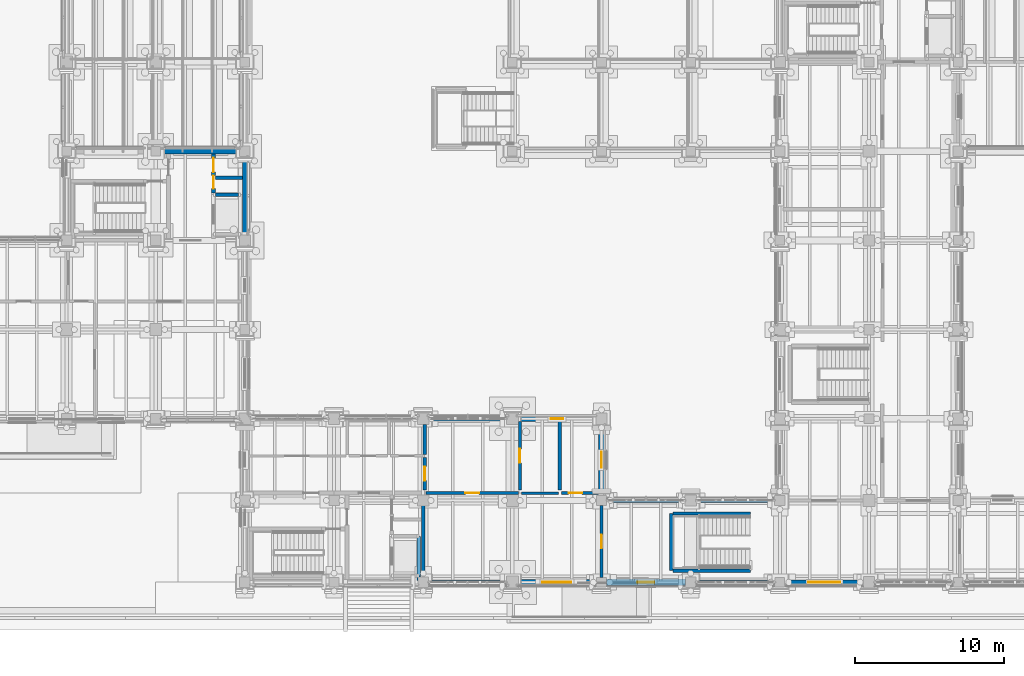
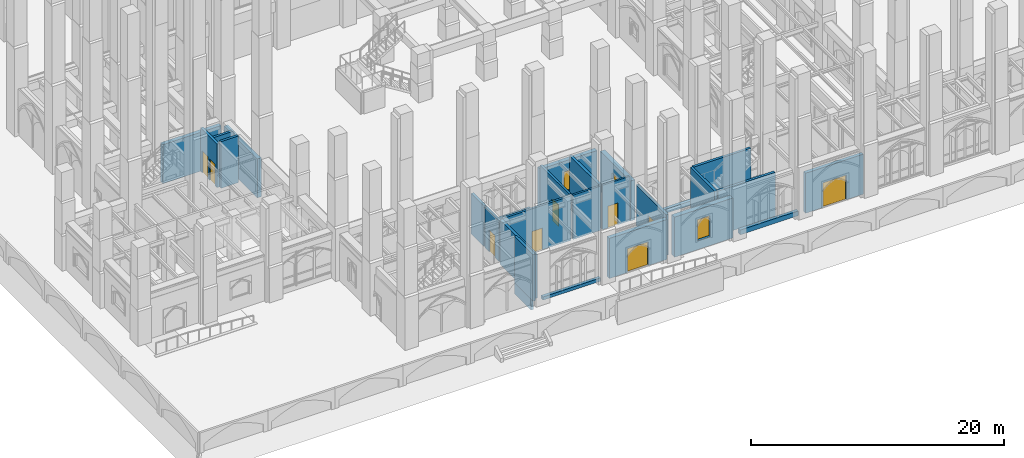
# One storey, part 60 of 135: 29 walls, 9 doors, 3 windows, 12 openings.
"""IFC4 building model written with IfcOpenShell, lengths in metres."""

import ifcopenshell
import ifcopenshell.guid

model = None  # the IFC model being written
_history = None  # IfcOwnerHistory: only IFC2X3 demands one
_inside = {}  # id of a spatial element -> (the spatial element, [elements in it])
_under = {}  # id of a project, library or spatial element -> (it, [spatial elements below it])
_declared = {}  # id of a project -> (the project, [libraries it declares])
_typed = {}  # id of a type object -> (the type object, [elements of that type])
_made_of = {}  # id of a material, layer set ... -> (it, [elements and type objects made of it])


def new_model(schema):
    """Start an empty IFC model of exactly this schema.

    Asked for "IFC4X3", IfcOpenShell would pick the latest addendum, in which some entities
    have other attributes; the version numbers below select the first issue.
    IFC2X3 requires an IfcOwnerHistory on every rooted entity: one is made here for all.
    """
    global model, _history
    if schema == "IFC4X3":
        model = ifcopenshell.file(schema_version=(4, 3, 0, 0))
    else:
        model = ifcopenshell.file(schema=schema)
    _inside.clear()
    _under.clear()
    _declared.clear()
    _typed.clear()
    _made_of.clear()
    _history = None
    if model.schema == "IFC2X3":
        org = make("IfcOrganization", Name="unknown")
        user = make(
            "IfcPersonAndOrganization",
            ThePerson=make("IfcPerson", FamilyName="unknown"),
            TheOrganization=org,
        )
        app = make(
            "IfcApplication",
            ApplicationDeveloper=org,
            Version="unknown",
            ApplicationFullName="unknown",
            ApplicationIdentifier="unknown",
        )
        _history = make(
            "IfcOwnerHistory",
            OwningUser=user,
            OwningApplication=app,
            ChangeAction="ADDED",
            CreationDate=0,
        )
    return model


def make(cls, **values):
    """One entity of the class cls with the attributes given. An attribute that is None is left unset."""
    return model.create_entity(
        cls, **{name: value for name, value in values.items() if value is not None}
    )


def rooted(cls, **values):
    """An entity with a GlobalId (a new one), such as an element, a storey or a relation."""
    return make(cls, GlobalId=ifcopenshell.guid.new(), OwnerHistory=_history, **values)


def si_unit(unit_type, name, prefix=None):
    """IfcSIUnit, for example si_unit("LENGTHUNIT", "METRE", prefix="MILLI")."""
    return make("IfcSIUnit", UnitType=unit_type, Prefix=prefix, Name=name)


def assignment(units):
    """IfcUnitAssignment: the units of a project."""
    return None if units is None else make("IfcUnitAssignment", Units=units)


def point(xyz):
    """IfcCartesianPoint."""
    return None if xyz is None else make("IfcCartesianPoint", Coordinates=xyz)


def direction(xyz):
    """IfcDirection."""
    return None if xyz is None else make("IfcDirection", DirectionRatios=xyz)


def frame(location, z_axis=None, x_axis=None):
    """IfcAxis2Placement3D, a coordinate frame: its origin and axes. An axis left out is left unset."""
    return make(
        "IfcAxis2Placement3D",
        Location=point(location),
        Axis=direction(z_axis),
        RefDirection=direction(x_axis),
    )


def frame_2d(location, x_axis=None):
    """IfcAxis2Placement2D, a coordinate frame in the plane: its origin and x axis."""
    return make(
        "IfcAxis2Placement2D", Location=point(location), RefDirection=direction(x_axis)
    )


def origin():
    """The frame at (0, 0, 0) with its axes left unset."""
    return frame((0.0, 0.0, 0.0))


def place(relative_to, where):
    """IfcLocalPlacement: puts the frame where relative to a parent placement (None: the world)."""
    return make(
        "IfcLocalPlacement", PlacementRelTo=relative_to, RelativePlacement=where
    )


def context(
    kind, dimensions, precision=None, world=None, true_north=None, identifier=None
):
    """IfcGeometricRepresentationContext, for example the 3D "Model" context."""
    return make(
        "IfcGeometricRepresentationContext",
        ContextIdentifier=identifier,
        ContextType=kind,
        CoordinateSpaceDimension=dimensions,
        Precision=precision,
        WorldCoordinateSystem=world,
        TrueNorth=true_north,
    )


def subcontext(parent, identifier, kind, view, scale=None):
    """IfcGeometricRepresentationSubContext, for example "Body" below "Model"."""
    return make(
        "IfcGeometricRepresentationSubContext",
        ContextIdentifier=identifier,
        ContextType=kind,
        ParentContext=parent,
        TargetScale=scale,
        TargetView=view,
    )


def project(units=None, contexts=None):
    """IfcProject with its units and contexts."""
    return rooted(
        "IfcProject",
        Name="project",
        RepresentationContexts=contexts,
        UnitsInContext=assignment(units),
    )


def spatial(cls, under=None, at=None, **own):
    """A site, building, storey or space (cls), placed at a placement, below another one or the project."""
    s = rooted(cls, ObjectPlacement=at, **own)
    if under is not None:
        _under.setdefault(under.id(), (under, []))[1].append(s)
    return s


def profile(cls, at=None, kind="AREA", **sizes):
    """A parametric profile (cls). Its sizes go by their IFC names, for example OverallWidth=200.0."""
    return make(cls, ProfileType=kind, Position=at, **sizes)


def rectangle(**sizes):
    """IfcRectangleProfileDef."""
    return profile("IfcRectangleProfileDef", **sizes)


def extrude(swept, where, along, depth):
    """IfcExtrudedAreaSolid: the profile swept, set in the frame where, extruded along a direction by depth."""
    return make(
        "IfcExtrudedAreaSolid",
        SweptArea=swept,
        Position=where,
        ExtrudedDirection=direction(along),
        Depth=depth,
    )


def shape(context_of_items, identifier, shape_type, items):
    """IfcShapeRepresentation: the items that make up one representation, for example the "Body"."""
    return make(
        "IfcShapeRepresentation",
        ContextOfItems=context_of_items,
        RepresentationIdentifier=identifier,
        RepresentationType=shape_type,
        Items=items,
    )


def material(Name=None, Category=None):
    """IfcMaterial."""
    return make("IfcMaterial", Name=Name, Category=Category)


def layer(
    of_material, thickness, ventilated=None, Name=None, Category=None, Priority=None
):
    """IfcMaterialLayer: one layer of a wall or slab, of a material (None: an air gap)."""
    return make(
        "IfcMaterialLayer",
        Material=of_material,
        LayerThickness=thickness,
        IsVentilated=ventilated,
        Name=Name,
        Category=Category,
        Priority=Priority,
    )


def layer_set(layers, Name=None):
    """IfcMaterialLayerSet."""
    return make("IfcMaterialLayerSet", MaterialLayers=layers, LayerSetName=Name)


def made_of(thing, what):
    """Note that an element or type object is made of a material, layer set ...; save() writes the relation."""
    if what is not None:
        _made_of.setdefault(what.id(), (what, []))[1].append(thing)
    return thing


def type_object(cls, material=None, **own):
    """A type object (cls), such as IfcWallType, which elements share."""
    return made_of(rooted(cls, **own), material)


def element(
    cls,
    number,
    at=None,
    inside=None,
    cuts=None,
    type_object=None,
    material=None,
    context=None,
    identifier="Body",
    shape_type=None,
    held_by="IfcProductDefinitionShape",
    body=None,
    shapes=None,
    **own,
):
    """One element of the class cls, such as IfcWall. Its Tag is "e" and its number.

    at: its placement. inside: the storey or other place that contains it. cuts: it is an
    opening in that element (IfcRelVoidsElement). A single representation is given by context,
    identifier, shape_type and body (its items); several are given by shapes. held_by: the class
    of the entity that holds the representations. save() writes the other relations.
    """
    e = rooted(cls, Tag="e%d" % number, ObjectPlacement=at, **own)
    if body is not None:
        shapes = [shape(context, identifier, shape_type, body)]
    if shapes is not None:
        e.Representation = make(held_by, Representations=shapes)
    if inside is not None:
        _inside.setdefault(inside.id(), (inside, []))[1].append(e)
    if cuts is not None:
        rooted(
            "IfcRelVoidsElement", RelatingBuildingElement=cuts, RelatedOpeningElement=e
        )
    if type_object is not None:
        _typed.setdefault(type_object.id(), (type_object, []))[1].append(e)
    return made_of(e, material)


def fill(opening, filler):
    """IfcRelFillsElement: the door or window that sits in an opening."""
    return rooted(
        "IfcRelFillsElement",
        RelatingOpeningElement=opening,
        RelatedBuildingElement=filler,
    )


def aggregate(whole, parts):
    """IfcRelAggregates: a whole, such as a stair, and the parts it consists of."""
    return rooted("IfcRelAggregates", RelatingObject=whole, RelatedObjects=parts)


def save(model, path):
    """Write the relations noted so far, then the file.

    IfcRelAggregates (storeys below a building ...), IfcRelContainedInSpatialStructure (elements
    in a storey), IfcRelDefinesByType, IfcRelAssociatesMaterial and IfcRelDeclares: one each for
    every whole, place, type object, material and project.
    """
    for whole, parts in _under.values():
        aggregate(whole, parts)
    for where, things in _inside.values():
        rooted(
            "IfcRelContainedInSpatialStructure",
            RelatedElements=things,
            RelatingStructure=where,
        )
    for kind, things in _typed.values():
        rooted("IfcRelDefinesByType", RelatedObjects=things, RelatingType=kind)
    for what, things in _made_of.values():
        rooted("IfcRelAssociatesMaterial", RelatedObjects=things, RelatingMaterial=what)
    for by, libraries in _declared.values():
        rooted("IfcRelDeclares", RelatingContext=by, RelatedDefinitions=libraries)
    model.write(path)


model = new_model("IFC4")

# Units and contexts
model_context = context("Model", 3, precision=1e-05, world=origin(), true_north=direction((0.0, 1.0)))
body_context = subcontext(model_context, "Body", "Model", "MODEL_VIEW")
ifc_project = project(units=[si_unit("LENGTHUNIT", "METRE"), si_unit("AREAUNIT", "SQUARE_METRE"), si_unit("VOLUMEUNIT", "CUBIC_METRE"), si_unit("PLANEANGLEUNIT", "RADIAN"), si_unit("MASSUNIT", "GRAM", prefix="KILO")], contexts=[model_context])

# Site, building, storey
site_placement = place(None, origin())
site = spatial("IfcSite", under=ifc_project, at=site_placement, CompositionType="ELEMENT")
building_placement = place(site_placement, origin())
building = spatial("IfcBuilding", under=site, at=building_placement, Name="Cumevento Cable Car Station", CompositionType="ELEMENT")
storey_placement = place(building_placement, origin())
storey = spatial("IfcBuildingStorey", under=building, at=storey_placement, Name="L01", CompositionType="ELEMENT", Elevation=0.0)

# Walls
ifc_material_1 = material(Name="Gnaisse Facoidal Stone Ashlar 85 MPa", Category="masonry")
ifc_layer_1 = layer(ifc_material_1, 0.294921875)
ifc_layer_set_1 = layer_set([ifc_layer_1], Name="Gnaisse Facoidal Stone Ashlar 85 MPa")
wall_type_1 = type_object("IfcWallType", Name="Exterior Envelope Wall EW-295 295", PredefinedType="SOLIDWALL", material=ifc_layer_set_1)
wall_1_placement = place(storey_placement, frame((39.60009765625, 4.0, 0.0), z_axis=(0.0, 0.0, 1.0), x_axis=(-1.0, 0.0, 0.0)))
element("IfcWall", 1, at=wall_1_placement, inside=storey, type_object=wall_type_1, Name="Exterior Sill Curb Wall EW-295 L01 #5", PredefinedType="SOLIDWALL", context=body_context, shape_type="SweptSolid", body=[
    extrude(rectangle(XDim=5.25, YDim=0.294921875, at=frame_2d((2.625, 0.0))), origin(), (0.0, 0.0, 1.0), 0.31005859375),
])
wall_2_placement = place(storey_placement, frame((34.39990234375, 15.0, 0.0), z_axis=(0.0, 0.0, 1.0), x_axis=(1.0, 0.0, 0.0)))
element("IfcWall", 2, at=wall_2_placement, inside=storey, type_object=wall_type_1, Name="Exterior Sill Curb Wall EW-295 L01 #6", PredefinedType="SOLIDWALL", context=body_context, shape_type="SweptSolid", body=[
    extrude(rectangle(XDim=5.2001953125, YDim=0.294921875, at=frame_2d((2.60009765625, 0.0))), origin(), (0.0, 0.0, 1.0), 0.360107421875),
])
wall_3_placement = place(storey_placement, frame((46.35009765625, 9.5, 0.0), z_axis=(0.0, 0.0, 1.0), x_axis=(1.0, 0.0, 0.0)))
element("IfcWall", 3, at=wall_3_placement, inside=storey, type_object=wall_type_1, Name="Exterior Sill Curb Wall EW-295 L01 #13", PredefinedType="SOLIDWALL", context=body_context, shape_type="SweptSolid", body=[
    extrude(rectangle(XDim=5.27490234375, YDim=0.294921875, at=frame_2d((2.637451171875, 0.0))), origin(), (0.0, 0.0, 1.0), 0.409912109375),
])
wall_4_placement = place(storey_placement, frame((57.675048828125, 4.0, 0.0), z_axis=(0.0, 0.0, 1.0), x_axis=(-1.0, 0.0, 0.0)))
element("IfcWall", 4, at=wall_4_placement, inside=storey, type_object=wall_type_1, Name="Exterior Sill Curb Wall EW-295 L01 #14", PredefinedType="SOLIDWALL", context=body_context, shape_type="SweptSolid", body=[
    extrude(rectangle(XDim=5.324951171875, YDim=0.294921875, at=frame_2d((2.66259765625, 0.0))), origin(), (0.0, 0.0, 1.0), 0.4599609375),
])
wall_5_placement = place(storey_placement, frame((52.375, 9.5, 0.0), z_axis=(0.0, 0.0, 1.0), x_axis=(1.0, 0.0, 0.0)))
element("IfcWall", 5, at=wall_5_placement, inside=storey, type_object=wall_type_1, Name="Exterior Sill Curb Wall EW-295 L01 #15", PredefinedType="SOLIDWALL", context=body_context, shape_type="SweptSolid", body=[
    extrude(rectangle(XDim=5.27490234375, YDim=0.294921875, at=frame_2d((2.637451171875, 0.0))), origin(), (0.0, 0.0, 1.0), 0.52001953125),
])

# Wall, opening, door
ifc_material_2 = material(Name="Gnaisse Facoidal Stone Ashlar 85 MPa", Category="masonry")
ifc_layer_2 = layer(ifc_material_2, 0.31005859375)
ifc_layer_set_2 = layer_set([ifc_layer_2], Name="Gnaisse Facoidal Stone Ashlar 85 MPa")
wall_type_2 = type_object("IfcWallType", Name="Exterior Envelope Wall EW-310 310", PredefinedType="SOLIDWALL", material=ifc_layer_set_2)
wall_6_placement = place(storey_placement, frame((63.625, 4.0, 0.0), z_axis=(0.0, 0.0, 1.0), x_axis=(-1.0, 0.0, 0.0)))
wall_6 = element("IfcWall", 6, at=wall_6_placement, inside=storey, type_object=wall_type_2, Name="Exterior Wall EW-310 L01 #16", PredefinedType="SOLIDWALL", context=body_context, shape_type="SweptSolid", body=[
    extrude(rectangle(XDim=5.300048828125, YDim=0.31005859375, at=frame_2d((2.64990234375, 0.0))), origin(), (0.0, 0.0, 1.0), 3.868896484375),
])
opening_1_placement = place(wall_6_placement, frame((1.550048828125, 0.0, 0.0)))
opening_1 = element("IfcOpeningElement", 7, at=opening_1_placement, cuts=wall_6, Name="Opening DR-L01-M02", PredefinedType="OPENING", context=body_context, shape_type="SweptSolid", body=[
    extrude(rectangle(XDim=2.14990234375, YDim=2.3798828125, at=frame_2d((1.074951171875, 1.18994140625))), frame((0.0, 0.1650390625, 0.0), z_axis=(0.0, -1.0, 0.0), x_axis=(1.0, 0.0, 0.0)), (0.0, 0.0, 1.0), 0.330078125),
])
ifc_material_3 = material(Name="Anodised Bronze Aluminium & Laminated Glass", Category="aluminium")
door_type_1 = type_object("IfcDoorType", Name="Exterior Door ED-03 2150x2380", OperationType="NOTDEFINED", PredefinedType="DOOR", material=ifc_material_3)
door_1_placement = place(opening_1_placement, origin())
door_1 = element("IfcDoor", 8, at=door_1_placement, inside=storey, type_object=door_type_1, Name="Main Entrance M2 (South Concourse)", OperationType="DOUBLE_DOOR_SINGLE_SWING", OverallHeight=2.3798828125, OverallWidth=2.14990234375, PredefinedType="DOOR", context=body_context, shape_type="SweptSolid", body=[
    extrude(rectangle(XDim=2.14990234375, YDim=2.3798828125, at=frame_2d((1.074951171875, 1.18994140625))), frame((0.0, 0.02490234375, 0.0), z_axis=(0.0, -1.0, 0.0), x_axis=(1.0, 0.0, 0.0)), (0.0, 0.0, 1.0), 0.050048828125),
])
fill(opening_1, door_1)

# Walls
ifc_material_4 = material(Name="Concrete C40/50", Category="concrete")
ifc_layer_3 = layer(ifc_material_4, 0.35498046875)
ifc_layer_set_3 = layer_set([ifc_layer_3], Name="Concrete C40/50")
wall_type_3 = type_object("IfcWallType", Name="Exterior Envelope Wall EW-355 355", PredefinedType="SOLIDWALL", material=ifc_layer_set_3)
wall_7_placement = place(storey_placement, frame((16.324951171875, 33.0, 0.0), z_axis=(0.0, 0.0, 1.0), x_axis=(1.0, 0.0, 0.0)))
element("IfcWall", 9, at=wall_7_placement, inside=storey, type_object=wall_type_3, Name="Exterior Wall EW-355 L01 #53", PredefinedType="SOLIDWALL", context=body_context, shape_type="SweptSolid", body=[
    extrude(rectangle(XDim=5.324951171875, YDim=0.35498046875, at=frame_2d((2.66259765625, 0.0))), origin(), (0.0, 0.0, 1.0), 3.757080078125),
])
wall_8_placement = place(storey_placement, frame((22.0, 32.64990234375, 0.0), z_axis=(0.0, 0.0, 1.0), x_axis=(0.0, -1.0, 0.0)))
element("IfcWall", 10, at=wall_8_placement, inside=storey, type_object=wall_type_3, Name="Exterior Wall EW-355 L01 #55", PredefinedType="SOLIDWALL", context=body_context, shape_type="SweptSolid", body=[
    extrude(rectangle(XDim=5.27490234375, YDim=0.35498046875, at=frame_2d((2.637451171875, 0.0))), origin(), (0.0, 0.0, 1.0), 3.762939453125),
])

# Wall, opening, door
ifc_material_5 = material(Name="Concrete C40/50", Category="concrete")
ifc_layer_4 = layer(ifc_material_5, 0.3701171875)
ifc_layer_set_4 = layer_set([ifc_layer_4], Name="Concrete C40/50")
wall_type_4 = type_object("IfcWallType", Name="Exterior Envelope Wall EW-370 370", PredefinedType="SOLIDWALL", material=ifc_layer_set_4)
wall_9_placement = place(storey_placement, frame((45.675048828125, 4.0, 0.0), z_axis=(0.0, 0.0, 1.0), x_axis=(-1.0, 0.0, 0.0)))
wall_9 = element("IfcWall", 11, at=wall_9_placement, inside=storey, type_object=wall_type_4, Name="Exterior Wall EW-370 L01 #7", PredefinedType="SOLIDWALL", context=body_context, shape_type="SweptSolid", body=[
    extrude(rectangle(XDim=5.275146484375, YDim=0.3701171875, at=frame_2d((2.6376953125, 0.0))), origin(), (0.0, 0.0, 1.0), 3.868896484375),
])
opening_2_placement = place(wall_9_placement, frame((1.699951171875, 0.0, 0.0)))
opening_2 = element("IfcOpeningElement", 12, at=opening_2_placement, cuts=wall_9, Name="Opening DR-L01-M01", PredefinedType="OPENING", context=body_context, shape_type="SweptSolid", body=[
    extrude(rectangle(XDim=1.949951171875, YDim=2.300048828125, at=frame_2d((0.97509765625, 1.14990234375))), frame((0.0, 0.195068359375, 0.0), z_axis=(0.0, -1.0, 0.0), x_axis=(1.0, 0.0, 0.0)), (0.0, 0.0, 1.0), 0.39013671875),
])
ifc_material_6 = material(Name="Anodised Bronze Aluminium & Laminated Glass", Category="aluminium")
door_type_2 = type_object("IfcDoorType", Name="Exterior Door ED-02 1950x2300", OperationType="NOTDEFINED", PredefinedType="DOOR", material=ifc_material_6)
door_2_placement = place(opening_2_placement, origin())
door_2 = element("IfcDoor", 13, at=door_2_placement, inside=storey, type_object=door_type_2, Name="Main Entrance M1 (Civic Foyer)", OperationType="DOUBLE_DOOR_SINGLE_SWING", OverallHeight=2.300048828125, OverallWidth=1.949951171875, PredefinedType="DOOR", context=body_context, shape_type="SweptSolid", body=[
    extrude(rectangle(XDim=1.949951171875, YDim=2.300048828125, at=frame_2d((0.97509765625, 1.14990234375))), frame((0.0, 0.02490234375, 0.0), z_axis=(0.0, -1.0, 0.0), x_axis=(1.0, 0.0, 0.0)), (0.0, 0.0, 1.0), 0.050048828125),
])
fill(opening_2, door_2)

# Wall, opening, window
ifc_material_7 = material(Name="Gnaisse Facoidal Stone Ashlar 85 MPa", Category="masonry")
ifc_layer_5 = layer(ifc_material_7, 0.385009765625)
ifc_layer_set_5 = layer_set([ifc_layer_5], Name="Gnaisse Facoidal Stone Ashlar 85 MPa")
wall_type_5 = type_object("IfcWallType", Name="Exterior Envelope Wall EW-385 385", PredefinedType="SOLIDWALL", material=ifc_layer_set_5)
wall_10_placement = place(storey_placement, frame((40.39990234375, 15.0, 0.0), z_axis=(0.0, 0.0, 1.0), x_axis=(1.0, 0.0, 0.0)))
wall_10 = element("IfcWall", 14, at=wall_10_placement, inside=storey, type_object=wall_type_5, Name="Exterior Wall EW-385 L01 #8", PredefinedType="SOLIDWALL", context=body_context, shape_type="SweptSolid", body=[
    extrude(rectangle(XDim=5.22509765625, YDim=0.385009765625, at=frame_2d((2.612548828125, 0.0))), origin(), (0.0, 0.0, 1.0), 3.881103515625),
])
opening_3_placement = place(wall_10_placement, frame((2.1875, 0.0, 0.89990234375)))
opening_3 = element("IfcOpeningElement", 15, at=opening_3_placement, cuts=wall_10, Name="Opening WN-L01-001", PredefinedType="OPENING", context=body_context, shape_type="SweptSolid", body=[
    extrude(rectangle(XDim=0.85009765625, YDim=1.949951171875, at=frame_2d((0.425048828125, 0.97509765625))), frame((0.0, 0.202392578125, 0.0), z_axis=(0.0, -1.0, 0.0), x_axis=(1.0, 0.0, 0.0)), (0.0, 0.0, 1.0), 0.405029296875),
])
ifc_material_8 = material(Name="Anodised Bronze Aluminium & Laminated Solar Glass", Category="aluminium")
window_type_1 = type_object("IfcWindowType", Name="Lancet Window WN-01 850x1950", PartitioningType="SINGLE_PANEL", PredefinedType="WINDOW", material=ifc_material_8)
window_1_placement = place(opening_3_placement, origin())
window_1 = element("IfcWindow", 16, at=window_1_placement, inside=storey, type_object=window_type_1, Name="Lancet Window WN-L01-001 (WN-01)", OverallHeight=1.949951171875, OverallWidth=0.85009765625, PartitioningType="SINGLE_PANEL", PredefinedType="WINDOW", context=body_context, shape_type="SweptSolid", body=[
    extrude(rectangle(XDim=0.85009765625, YDim=1.949951171875, at=frame_2d((0.425048828125, 0.97509765625))), frame((0.0, 0.030029296875, 0.0), z_axis=(0.0, -1.0, 0.0), x_axis=(1.0, 0.0, 0.0)), (0.0, 0.0, 1.0), 0.06005859375),
])
fill(opening_3, window_1)

ifc_material_9 = material(Name="Gnaisse Facoidal Stone Ashlar 85 MPa", Category="masonry")
ifc_layer_6 = layer(ifc_material_9, 0.429931640625)
ifc_layer_set_6 = layer_set([ifc_layer_6], Name="Gnaisse Facoidal Stone Ashlar 85 MPa")
wall_type_6 = type_object("IfcWallType", Name="Exterior Envelope Wall EW-430 430", PredefinedType="SOLIDWALL", material=ifc_layer_set_6)
wall_11_placement = place(storey_placement, frame((46.0, 14.625, 0.0), z_axis=(0.0, 0.0, 1.0), x_axis=(0.0, -1.0, 0.0)))
wall_11 = element("IfcWall", 17, at=wall_11_placement, inside=storey, type_object=wall_type_6, Name="Exterior Wall EW-430 L01 #11", PredefinedType="SOLIDWALL", context=body_context, shape_type="SweptSolid", body=[
    extrude(rectangle(XDim=4.77490234375, YDim=0.429931640625, at=frame_2d((2.387451171875, 0.0))), origin(), (0.0, 0.0, 1.0), 3.868896484375),
])
opening_4_placement = place(wall_11_placement, frame((1.862548828125, 0.0, 0.85009765625)))
opening_4 = element("IfcOpeningElement", 18, at=opening_4_placement, cuts=wall_11, Name="Opening WN-L01-003", PredefinedType="OPENING", context=body_context, shape_type="SweptSolid", body=[
    extrude(rectangle(XDim=1.050048828125, YDim=2.050048828125, at=frame_2d((0.52490234375, 1.02490234375))), frame((0.0, 0.224853515625, 0.0), z_axis=(0.0, -1.0, 0.0), x_axis=(1.0, 0.0, 0.0)), (0.0, 0.0, 1.0), 0.449951171875),
])
ifc_material_10 = material(Name="Anodised Bronze Aluminium & Laminated Solar Glass", Category="aluminium")
window_type_2 = type_object("IfcWindowType", Name="Lancet Window WN-03 1050x2050", PartitioningType="SINGLE_PANEL", PredefinedType="WINDOW", material=ifc_material_10)
window_2_placement = place(opening_4_placement, origin())
window_2 = element("IfcWindow", 19, at=window_2_placement, inside=storey, type_object=window_type_2, Name="Lancet Window WN-L01-003 (WN-03)", OverallHeight=2.050048828125, OverallWidth=1.050048828125, PartitioningType="SINGLE_PANEL", PredefinedType="WINDOW", context=body_context, shape_type="SweptSolid", body=[
    extrude(rectangle(XDim=1.050048828125, YDim=2.050048828125, at=frame_2d((0.52490234375, 1.02490234375))), frame((0.0, 0.030029296875, 0.0), z_axis=(0.0, -1.0, 0.0), x_axis=(1.0, 0.0, 0.0)), (0.0, 0.0, 1.0), 0.06005859375),
])
fill(opening_4, window_2)

ifc_material_11 = material(Name="Concrete C40/50", Category="concrete")
ifc_layer_7 = layer(ifc_material_11, 0.449951171875)
ifc_layer_set_7 = layer_set([ifc_layer_7], Name="Concrete C40/50")
wall_type_7 = type_object("IfcWallType", Name="Exterior Envelope Wall EW-450 450", PredefinedType="SOLIDWALL", material=ifc_layer_set_7)
wall_12_placement = place(storey_placement, frame((51.64990234375, 4.0, 0.0), z_axis=(0.0, 0.0, 1.0), x_axis=(-1.0, 0.0, 0.0)))
wall_12 = element("IfcWall", 20, at=wall_12_placement, inside=storey, type_object=wall_type_7, Name="Exterior Wall EW-450 L01 #12", PredefinedType="SOLIDWALL", context=body_context, shape_type="SweptSolid", body=[
    extrude(rectangle(XDim=5.324951171875, YDim=0.449951171875, at=frame_2d((2.66259765625, 0.0))), origin(), (0.0, 0.0, 1.0), 3.868896484375),
])
opening_5_placement = place(wall_12_placement, frame((2.08740234375, 0.0, 0.85009765625)))
opening_5 = element("IfcOpeningElement", 21, at=opening_5_placement, cuts=wall_12, Name="Opening WN-L01-004", PredefinedType="OPENING", context=body_context, shape_type="SweptSolid", body=[
    extrude(rectangle(XDim=1.14990234375, YDim=2.050048828125, at=frame_2d((0.574951171875, 1.02490234375))), frame((0.0, 0.235107421875, 0.0), z_axis=(0.0, -1.0, 0.0), x_axis=(1.0, 0.0, 0.0)), (0.0, 0.0, 1.0), 0.469970703125),
])
ifc_material_12 = material(Name="Anodised Bronze Aluminium & Laminated Solar Glass", Category="aluminium")
window_type_3 = type_object("IfcWindowType", Name="Lancet Window WN-04 1150x2050", PartitioningType="SINGLE_PANEL", PredefinedType="WINDOW", material=ifc_material_12)
window_3_placement = place(opening_5_placement, origin())
window_3 = element("IfcWindow", 22, at=window_3_placement, inside=storey, type_object=window_type_3, Name="Lancet Window WN-L01-004 (WN-04)", OverallHeight=2.050048828125, OverallWidth=1.14990234375, PartitioningType="SINGLE_PANEL", PredefinedType="WINDOW", context=body_context, shape_type="SweptSolid", body=[
    extrude(rectangle(XDim=1.14990234375, YDim=2.050048828125, at=frame_2d((0.574951171875, 1.02490234375))), frame((0.0, 0.030029296875, 0.0), z_axis=(0.0, -1.0, 0.0), x_axis=(1.0, 0.0, 0.0)), (0.0, 0.0, 1.0), 0.06005859375),
])
fill(opening_5, window_3)

# Wall, opening, door
ifc_material_13 = material(Name="Concrete C40/50", Category="concrete")
ifc_layer_8 = layer(ifc_material_13, 0.199951171875)
ifc_layer_set_8 = layer_set([ifc_layer_8], Name="Concrete C40/50")
wall_type_8 = type_object("IfcWallType", Name="Interior Partition FW-200 200", PredefinedType="SOLIDWALL", material=ifc_layer_set_8)
wall_13_placement = place(storey_placement, frame((34.199951171875, 10.0, 0.0), z_axis=(0.0, 0.0, 1.0), x_axis=(1.0, 0.0, 0.0)))
wall_13 = element("IfcWall", 23, at=wall_13_placement, inside=storey, type_object=wall_type_8, Name="Interior Wall FW-200 L01 #557", PredefinedType="SOLIDWALL", context=body_context, shape_type="SweptSolid", body=[
    extrude(rectangle(XDim=6.199951171875, YDim=0.199951171875, at=frame_2d((3.10009765625, 0.0))), origin(), (0.0, 0.0, 1.0), 4.2880859375),
])
opening_6_placement = place(wall_13_placement, frame((2.6298828125, 0.0, 0.0)))
opening_6 = element("IfcOpeningElement", 24, at=opening_6_placement, cuts=wall_13, Name="Opening DR-L01-180", PredefinedType="OPENING", context=body_context, shape_type="SweptSolid", body=[
    extrude(rectangle(XDim=0.93994140625, YDim=2.10009765625, at=frame_2d((0.469970703125, 1.050048828125))), frame((0.0, 0.110107421875, 0.0), z_axis=(0.0, -1.0, 0.0), x_axis=(1.0, 0.0, 0.0)), (0.0, 0.0, 1.0), 0.219970703125),
])
ifc_material_14 = material(Name="Galvanised Painted Steel Fire Door", Category="steel")
door_type_3 = type_object("IfcDoorType", Name="Interior Door FD-08 940x2100", OperationType="NOTDEFINED", PredefinedType="DOOR", material=ifc_material_14)
door_3_placement = place(opening_6_placement, origin())
door_3 = element("IfcDoor", 25, at=door_3_placement, inside=storey, type_object=door_type_3, Name="Interior Door DR-L01-180 (FD-08)", OperationType="SINGLE_SWING_LEFT", OverallHeight=2.10009765625, OverallWidth=0.93994140625, PredefinedType="DOOR", context=body_context, shape_type="SweptSolid", body=[
    extrude(rectangle(XDim=0.93994140625, YDim=2.10009765625, at=frame_2d((0.469970703125, 1.050048828125))), frame((0.0, 0.02490234375, 0.0), z_axis=(0.0, -1.0, 0.0), x_axis=(1.0, 0.0, 0.0)), (0.0, 0.0, 1.0), 0.050048828125),
])
fill(opening_6, door_3)

wall_14_placement = place(storey_placement, frame((40.5, 10.199951171875, 0.0), z_axis=(0.0, 0.0, 1.0), x_axis=(0.0, 1.0, 0.0)))
wall_14 = element("IfcWall", 26, at=wall_14_placement, inside=storey, type_object=wall_type_8, Name="Interior Wall FW-200 L01 #566", PredefinedType="SOLIDWALL", context=body_context, shape_type="SweptSolid", body=[
    extrude(rectangle(XDim=4.60546875, YDim=0.199951171875, at=frame_2d((2.302734375, 0.0))), origin(), (0.0, 0.0, 1.0), 4.2880859375),
])
opening_7_placement = place(wall_14_placement, frame((1.832763671875, 0.0, 0.0)))
opening_7 = element("IfcOpeningElement", 27, at=opening_7_placement, cuts=wall_14, Name="Opening DR-L01-202", PredefinedType="OPENING", context=body_context, shape_type="SweptSolid", body=[
    extrude(rectangle(XDim=0.93994140625, YDim=2.10009765625, at=frame_2d((0.469970703125, 1.050048828125))), frame((0.0, 0.110107421875, 0.0), z_axis=(0.0, -1.0, 0.0), x_axis=(1.0, 0.0, 0.0)), (0.0, 0.0, 1.0), 0.219970703125),
])
door_4_placement = place(opening_7_placement, origin())
door_4 = element("IfcDoor", 28, at=door_4_placement, inside=storey, type_object=door_type_3, Name="Interior Door DR-L01-202 (FD-08)", OperationType="SINGLE_SWING_LEFT", OverallHeight=2.10009765625, OverallWidth=0.93994140625, PredefinedType="DOOR", context=body_context, shape_type="SweptSolid", body=[
    extrude(rectangle(XDim=0.93994140625, YDim=2.10009765625, at=frame_2d((0.469970703125, 1.050048828125))), frame((0.0, 0.02490234375, 0.0), z_axis=(0.0, -1.0, 0.0), x_axis=(1.0, 0.0, 0.0)), (0.0, 0.0, 1.0), 0.050048828125),
])
fill(opening_7, door_4)

ifc_material_15 = material(Name="Concrete C40/50", Category="concrete")
ifc_layer_9 = layer(ifc_material_15, 0.219970703125)
ifc_layer_set_9 = layer_set([ifc_layer_9], Name="Concrete C40/50")
wall_type_9 = type_object("IfcWallType", Name="Interior Partition FW-220 220", PredefinedType="SOLIDWALL", material=ifc_layer_set_9)
wall_15_placement = place(storey_placement, frame((46.0, 4.326904296875, 0.0), z_axis=(0.0, 0.0, 1.0), x_axis=(0.0, 1.0, 0.0)))
wall_15 = element("IfcWall", 29, at=wall_15_placement, inside=storey, type_object=wall_type_9, Name="Interior Wall FW-220 L01 #560", PredefinedType="SOLIDWALL", context=body_context, shape_type="SweptSolid", body=[
    extrude(rectangle(XDim=4.821044921875, YDim=0.219970703125, at=frame_2d((2.41064453125, 0.0))), origin(), (0.0, 0.0, 1.0), 3.922119140625),
])
opening_8_placement = place(wall_15_placement, frame((1.9404296875, 0.0, 0.0)))
opening_8 = element("IfcOpeningElement", 30, at=opening_8_placement, cuts=wall_15, Name="Opening DR-L01-181", PredefinedType="OPENING", context=body_context, shape_type="SweptSolid", body=[
    extrude(rectangle(XDim=0.93994140625, YDim=2.10009765625, at=frame_2d((0.469970703125, 1.050048828125))), frame((0.0, 0.119873046875, 0.0), z_axis=(0.0, -1.0, 0.0), x_axis=(1.0, 0.0, 0.0)), (0.0, 0.0, 1.0), 0.239990234375),
])
door_5_placement = place(opening_8_placement, origin())
door_5 = element("IfcDoor", 31, at=door_5_placement, inside=storey, type_object=door_type_3, Name="Interior Door DR-L01-181 (FD-08)", OperationType="SINGLE_SWING_RIGHT", OverallHeight=2.10009765625, OverallWidth=0.93994140625, PredefinedType="DOOR", context=body_context, shape_type="SweptSolid", body=[
    extrude(rectangle(XDim=0.93994140625, YDim=2.10009765625, at=frame_2d((0.469970703125, 1.050048828125))), frame((0.0, 0.02490234375, 0.0), z_axis=(0.0, -1.0, 0.0), x_axis=(1.0, 0.0, 0.0)), (0.0, 0.0, 1.0), 0.050048828125),
])
fill(opening_8, door_5)

wall_16_placement = place(storey_placement, frame((34.10009765625, 10.199951171875, 0.0), z_axis=(0.0, 0.0, 1.0), x_axis=(0.0, 1.0, 0.0)))
wall_16 = element("IfcWall", 32, at=wall_16_placement, inside=storey, type_object=wall_type_9, Name="Interior Wall FW-220 L01 #561", PredefinedType="SOLIDWALL", context=body_context, shape_type="SweptSolid", body=[
    extrude(rectangle(XDim=2.199951171875, YDim=0.219970703125, at=frame_2d((1.10009765625, 0.0))), origin(), (0.0, 0.0, 1.0), 3.93408203125),
])
opening_9_placement = place(wall_16_placement, frame((0.6298828125, 0.0, 0.0)))
opening_9 = element("IfcOpeningElement", 33, at=opening_9_placement, cuts=wall_16, Name="Opening DR-L01-182", PredefinedType="OPENING", context=body_context, shape_type="SweptSolid", body=[
    extrude(rectangle(XDim=0.93994140625, YDim=2.10009765625, at=frame_2d((0.469970703125, 1.050048828125))), frame((0.0, 0.119873046875, 0.0), z_axis=(0.0, -1.0, 0.0), x_axis=(1.0, 0.0, 0.0)), (0.0, 0.0, 1.0), 0.239990234375),
])
door_6_placement = place(opening_9_placement, origin())
door_6 = element("IfcDoor", 34, at=door_6_placement, inside=storey, type_object=door_type_3, Name="Interior Door DR-L01-182 (FD-08)", OperationType="SINGLE_SWING_LEFT", OverallHeight=2.10009765625, OverallWidth=0.93994140625, PredefinedType="DOOR", context=body_context, shape_type="SweptSolid", body=[
    extrude(rectangle(XDim=0.93994140625, YDim=2.10009765625, at=frame_2d((0.469970703125, 1.050048828125))), frame((0.0, 0.02490234375, 0.0), z_axis=(0.0, -1.0, 0.0), x_axis=(1.0, 0.0, 0.0)), (0.0, 0.0, 1.0), 0.050048828125),
])
fill(opening_9, door_6)

# Walls
wall_17_placement = place(storey_placement, frame((34.10009765625, 12.60009765625, 0.0), z_axis=(0.0, 0.0, 1.0), x_axis=(0.0, 1.0, 0.0)))
element("IfcWall", 35, at=wall_17_placement, inside=storey, type_object=wall_type_9, Name="Interior Wall FW-220 L01 #565", PredefinedType="SOLIDWALL", context=body_context, shape_type="SweptSolid", body=[
    extrude(rectangle(XDim=1.997802734375, YDim=0.219970703125, at=frame_2d((0.9990234375, 0.0))), origin(), (0.0, 0.0, 1.0), 3.93408203125),
])
ifc_material_16 = material(Name="Gypsum Board & Insulated Stud Partition", Category="gypsum")
ifc_layer_10 = layer(ifc_material_16, 0.1650390625)
ifc_layer_set_10 = layer_set([ifc_layer_10], Name="Gypsum Board & Insulated Stud Partition")
wall_type_10 = type_object("IfcWallType", Name="Interior Partition PT-165 165", PredefinedType="PARTITIONING", material=ifc_layer_set_10)
wall_18_placement = place(storey_placement, frame((40.60009765625, 10.0, 0.0), z_axis=(0.0, 0.0, 1.0), x_axis=(1.0, 0.0, 0.0)))
element("IfcWall", 36, at=wall_18_placement, inside=storey, type_object=wall_type_10, Name="Interior Wall PT-165 L01 #558", PredefinedType="PARTITIONING", context=body_context, shape_type="SweptSolid", body=[
    extrude(rectangle(XDim=2.5, YDim=0.1650390625, at=frame_2d((1.25, 0.0))), origin(), (0.0, 0.0, 1.0), 4.2880859375),
])

# Wall, opening, door
ifc_material_17 = material(Name="Moisture-Resistant Tile & Stud Partition", Category="gypsum")
ifc_layer_11 = layer(ifc_material_17, 0.175048828125)
ifc_layer_set_11 = layer_set([ifc_layer_11], Name="Moisture-Resistant Tile & Stud Partition")
wall_type_11 = type_object("IfcWallType", Name="Interior Partition PT-175 175", PredefinedType="PARTITIONING", material=ifc_layer_set_11)
wall_19_placement = place(storey_placement, frame((43.300048828125, 10.0, 0.0), z_axis=(0.0, 0.0, 1.0), x_axis=(1.0, 0.0, 0.0)))
wall_19 = element("IfcWall", 37, at=wall_19_placement, inside=storey, type_object=wall_type_11, Name="Interior Wall PT-175 L01 #559", PredefinedType="PARTITIONING", context=body_context, shape_type="SweptSolid", body=[
    extrude(rectangle(XDim=2.48291015625, YDim=0.175048828125, at=frame_2d((1.241455078125, 0.0))), origin(), (0.0, 0.0, 1.0), 4.2880859375),
])
opening_10_placement = place(wall_19_placement, frame((0.491455078125, 0.0, 0.0)))
opening_10 = element("IfcOpeningElement", 38, at=opening_10_placement, cuts=wall_19, Name="Opening DR-L01-203", PredefinedType="OPENING", context=body_context, shape_type="SweptSolid", body=[
    extrude(rectangle(XDim=0.89990234375, YDim=2.10009765625, at=frame_2d((0.449951171875, 1.050048828125))), frame((0.0, 0.097412109375, 0.0), z_axis=(0.0, -1.0, 0.0), x_axis=(1.0, 0.0, 0.0)), (0.0, 0.0, 1.0), 0.195068359375),
])
ifc_material_18 = material(Name="Hardwood Ipe Timber Door Leaf", Category="wood")
door_type_4 = type_object("IfcDoorType", Name="Interior Door ID-02 900x2100", OperationType="NOTDEFINED", PredefinedType="DOOR", material=ifc_material_18)
door_7_placement = place(opening_10_placement, origin())
door_7 = element("IfcDoor", 39, at=door_7_placement, inside=storey, type_object=door_type_4, Name="Interior Door DR-L01-203 (ID-02)", OperationType="SINGLE_SWING_RIGHT", OverallHeight=2.10009765625, OverallWidth=0.89990234375, PredefinedType="DOOR", context=body_context, shape_type="SweptSolid", body=[
    extrude(rectangle(XDim=0.89990234375, YDim=2.10009765625, at=frame_2d((0.449951171875, 1.050048828125))), frame((0.0, 0.02490234375, 0.0), z_axis=(0.0, -1.0, 0.0), x_axis=(1.0, 0.0, 0.0)), (0.0, 0.0, 1.0), 0.050048828125),
])
fill(opening_10, door_7)

# Walls
ifc_material_19 = material(Name="Acoustic Masonry Block Partition", Category="masonry")
ifc_layer_12 = layer(ifc_material_19, 0.2451171875)
ifc_layer_set_12 = layer_set([ifc_layer_12], Name="Acoustic Masonry Block Partition")
wall_type_12 = type_object("IfcWallType", Name="Interior Partition PT-245 245", PredefinedType="PARTITIONING", material=ifc_layer_set_12)
wall_20_placement = place(storey_placement, frame((43.199951171875, 10.199951171875, 0.0), z_axis=(0.0, 0.0, 1.0), x_axis=(0.0, 1.0, 0.0)))
element("IfcWall", 40, at=wall_20_placement, inside=storey, type_object=wall_type_12, Name="Interior Wall PT-245 L01 #569", PredefinedType="PARTITIONING", context=body_context, shape_type="SweptSolid", body=[
    extrude(rectangle(XDim=4.60546875, YDim=0.2451171875, at=frame_2d((2.302734375, 0.0))), origin(), (0.0, 0.0, 1.0), 4.2880859375),
])
ifc_material_20 = material(Name="Concrete C40/50", Category="concrete")
ifc_layer_13 = layer(ifc_material_20, 0.22998046875)
ifc_layer_set_13 = layer_set([ifc_layer_13], Name="Concrete C40/50")
wall_type_13 = type_object("IfcWallType", Name="Interior Shear Wall CW-230 230", PredefinedType="SHEAR", material=ifc_layer_set_13)
wall_21_placement = place(storey_placement, frame((33.699951171875, 4.419921875, -1.050048828125), z_axis=(0.0, 0.0, 1.0), x_axis=(0.0, 1.0, 0.0)))
element("IfcWall", 41, at=wall_21_placement, inside=storey, type_object=wall_type_13, Name="Interior Wall CW-230 L01 #214", PredefinedType="SHEAR", context=body_context, shape_type="SweptSolid", body=[
    extrude(rectangle(XDim=2.66015625, YDim=0.22998046875, at=frame_2d((1.330078125, 0.0))), origin(), (0.0, 0.0, 1.0), 1.050048828125),
])
wall_22_placement = place(storey_placement, frame((33.699951171875, 4.114990234375, 0.0), z_axis=(0.0, 0.0, 1.0), x_axis=(0.0, 1.0, 0.0)))
element("IfcWall", 42, at=wall_22_placement, inside=storey, type_object=wall_type_13, Name="Interior Wall CW-230 L01 #231", PredefinedType="SHEAR", context=body_context, shape_type="SweptSolid", body=[
    extrude(rectangle(XDim=2.965087890625, YDim=0.22998046875, at=frame_2d((1.482421875, 0.0))), origin(), (0.0, 0.0, 1.0), 4.5),
])
wall_23_placement = place(storey_placement, frame((20.0048828125, 30.080078125, 0.0), z_axis=(0.0, 0.0, 1.0), x_axis=(1.0, 0.0, 0.0)))
element("IfcWall", 43, at=wall_23_placement, inside=storey, type_object=wall_type_13, Name="Interior Wall CW-230 L01 #281", PredefinedType="SHEAR", context=body_context, shape_type="SweptSolid", body=[
    extrude(rectangle(XDim=1.580078125, YDim=0.22998046875, at=frame_2d((0.7900390625, 0.0))), origin(), (0.0, 0.0, 1.0), 4.5),
])
wall_24_placement = place(storey_placement, frame((20.0048828125, 31.219970703125, 0.0), z_axis=(0.0, 0.0, 1.0), x_axis=(1.0, 0.0, 0.0)))
element("IfcWall", 44, at=wall_24_placement, inside=storey, type_object=wall_type_13, Name="Interior Wall CW-230 L01 #283", PredefinedType="SHEAR", context=body_context, shape_type="SweptSolid", body=[
    extrude(rectangle(XDim=1.820068359375, YDim=0.22998046875, at=frame_2d((0.91015625, 0.0))), origin(), (0.0, 0.0, 1.0), 4.2041015625),
])
wall_25_placement = place(storey_placement, frame((50.679931640625, 4.780029296875, 0.0), z_axis=(0.0, 0.0, 1.0), x_axis=(0.0, 1.0, 0.0)))
element("IfcWall", 45, at=wall_25_placement, inside=storey, type_object=wall_type_13, Name="Interior Wall CW-230 L01 #524", PredefinedType="SHEAR", context=body_context, shape_type="SweptSolid", body=[
    extrude(rectangle(XDim=3.840087890625, YDim=0.22998046875, at=frame_2d((1.919921875, 0.0))), origin(), (0.0, 0.0, 1.0), 4.27587890625),
])
for number, where, z_axis, x_axis, name in (
    (46, (50.800048828125, 4.780029296875, 0.0), (0.0, 0.0, 1.0), (1.0, 0.0, 0.0), "Interior Wall CW-230 L01 #525"),
    (47, (50.800048828125, 8.6201171875, 0.0), (0.0, 0.0, 1.0), (1.0, 0.0, 0.0), "Interior Wall CW-230 L01 #526"),
):
    element("IfcWall", number, at=place(storey_placement, frame(where, z_axis=z_axis, x_axis=x_axis)), inside=storey, type_object=wall_type_13, Name=name, PredefinedType="SHEAR", context=body_context, shape_type="SweptSolid", body=[
        extrude(rectangle(XDim=5.239990234375, YDim=0.22998046875, at=frame_2d((2.6201171875, 0.0))), origin(), (0.0, 0.0, 1.0), 4.27587890625),
    ])
ifc_material_21 = material(Name="Concrete C40/50", Category="concrete")
ifc_layer_14 = layer(ifc_material_21, 0.25)
ifc_layer_set_14 = layer_set([ifc_layer_14], Name="Concrete C40/50")
wall_type_14 = type_object("IfcWallType", Name="Interior Shear Wall CW-250 250", PredefinedType="SHEAR", material=ifc_layer_set_14)
wall_26_placement = place(storey_placement, frame((34.0, 4.35009765625, 0.0), z_axis=(0.0, 0.0, 1.0), x_axis=(0.0, 1.0, 0.0)))
element("IfcWall", 48, at=wall_26_placement, inside=storey, type_object=wall_type_14, Name="Interior Wall CW-250 L01 #223", PredefinedType="SHEAR", context=body_context, shape_type="SweptSolid", body=[
    extrude(rectangle(XDim=5.52490234375, YDim=0.25, at=frame_2d((2.762451171875, 0.0))), origin(), (0.0, 0.0, 1.0), 4.2880859375),
])

# Wall, openings, doors
wall_27_placement = place(storey_placement, frame((19.8798828125, 30.199951171875, 0.0), z_axis=(0.0, 0.0, 1.0), x_axis=(0.0, 1.0, 0.0)))
wall_27 = element("IfcWall", 49, at=wall_27_placement, inside=storey, type_object=wall_type_14, Name="Interior Wall CW-250 L01 #282", PredefinedType="SHEAR", context=body_context, shape_type="SweptSolid", body=[
    extrude(rectangle(XDim=2.625, YDim=0.25, at=frame_2d((1.3125, 0.0))), origin(), (0.0, 0.0, 1.0), 4.2041015625),
])
opening_11_placement = place(wall_27_placement, frame((0.280029296875, 0.0, 0.0)))
opening_11 = element("IfcOpeningElement", 50, at=opening_11_placement, cuts=wall_27, Name="Opening DR-L01-069", PredefinedType="OPENING", context=body_context, shape_type="SweptSolid", body=[
    extrude(rectangle(XDim=0.8798828125, YDim=2.080078125, at=frame_2d((0.43994140625, 1.0400390625))), frame((0.0, 0.135009765625, 0.0), z_axis=(0.0, -1.0, 0.0), x_axis=(1.0, 0.0, 0.0)), (0.0, 0.0, 1.0), 0.27001953125),
])
opening_12_placement = place(wall_27_placement, frame((1.39990234375, 0.0, 0.0)))
opening_12 = element("IfcOpeningElement", 51, at=opening_12_placement, cuts=wall_27, Name="Opening DR-L01-070", PredefinedType="OPENING", context=body_context, shape_type="SweptSolid", body=[
    extrude(rectangle(XDim=0.9599609375, YDim=2.1201171875, at=frame_2d((0.47998046875, 1.06005859375))), frame((0.0, 0.135009765625, 0.0), z_axis=(0.0, -1.0, 0.0), x_axis=(1.0, 0.0, 0.0)), (0.0, 0.0, 1.0), 0.27001953125),
])
ifc_material_22 = material(Name="Galvanised Painted Steel Fire Door", Category="steel")
door_type_5 = type_object("IfcDoorType", Name="Interior Door FD-01 960x2120", OperationType="NOTDEFINED", PredefinedType="DOOR", material=ifc_material_22)
door_8_placement = place(opening_12_placement, origin())
door_8 = element("IfcDoor", 52, at=door_8_placement, inside=storey, type_object=door_type_5, Name="East Vestibule Lobby Door CORE3 L01", OperationType="SINGLE_SWING_LEFT", OverallHeight=2.1201171875, OverallWidth=0.9599609375, PredefinedType="DOOR", context=body_context, shape_type="SweptSolid", body=[
    extrude(rectangle(XDim=0.9599609375, YDim=2.1201171875, at=frame_2d((0.47998046875, 1.06005859375))), frame((0.0, 0.02490234375, 0.0), z_axis=(0.0, -1.0, 0.0), x_axis=(1.0, 0.0, 0.0)), (0.0, 0.0, 1.0), 0.050048828125),
])
fill(opening_12, door_8)
ifc_material_23 = material(Name="Galvanised Painted Steel Fire Door", Category="steel")
door_type_6 = type_object("IfcDoorType", Name="Interior Door FD-07 880x2080", OperationType="NOTDEFINED", PredefinedType="DOOR", material=ifc_material_23)
door_9_placement = place(opening_11_placement, origin())
door_9 = element("IfcDoor", 53, at=door_9_placement, inside=storey, type_object=door_type_6, Name="MEP Riser Access Door CORE3 L01", OperationType="SINGLE_SWING_RIGHT", OverallHeight=2.080078125, OverallWidth=0.8798828125, PredefinedType="DOOR", context=body_context, shape_type="SweptSolid", body=[
    extrude(rectangle(XDim=0.8798828125, YDim=2.080078125, at=frame_2d((0.43994140625, 1.0400390625))), frame((0.0, 0.02490234375, 0.0), z_axis=(0.0, -1.0, 0.0), x_axis=(1.0, 0.0, 0.0)), (0.0, 0.0, 1.0), 0.050048828125),
])
fill(opening_11, door_9)

save(model, "model.ifc")
